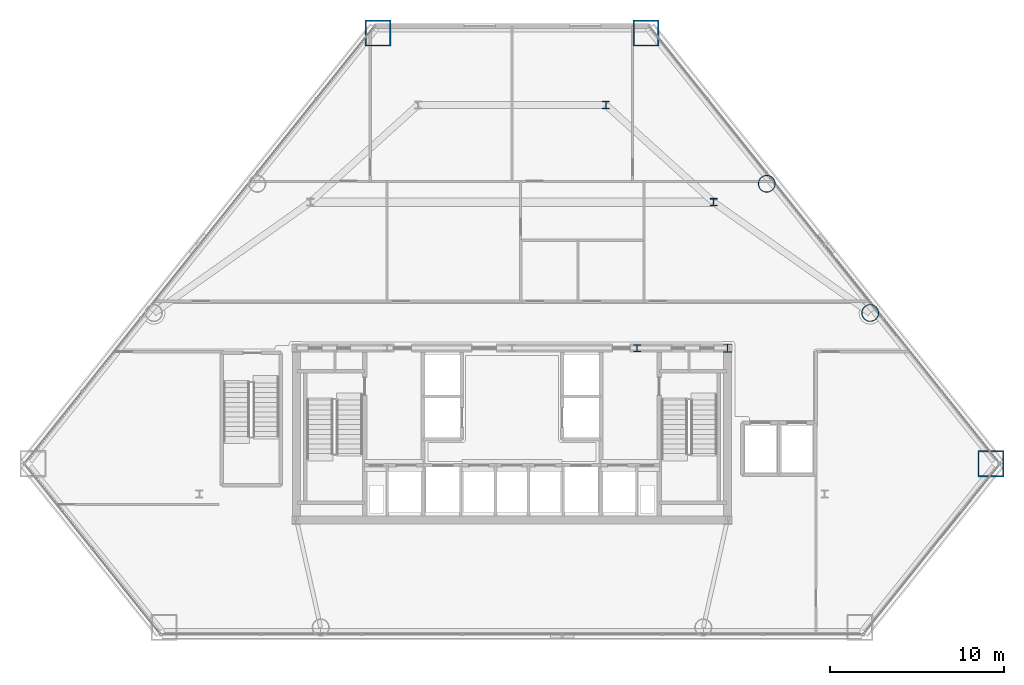
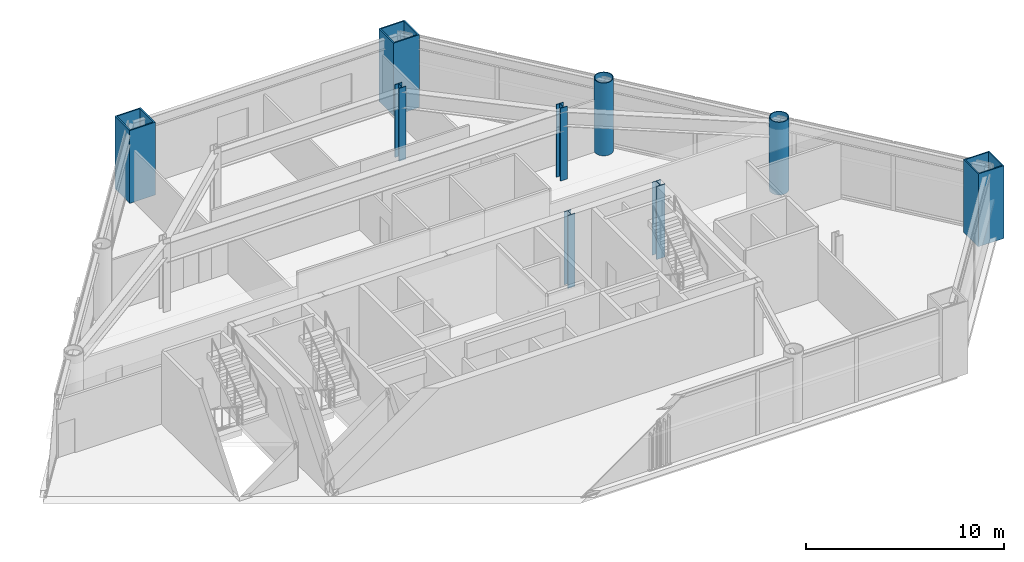
# One storey, part 2 of 13: 9 columns.
"""IFC4 building model written with IfcOpenShell, lengths in metres."""

from ifc_helpers import new_model, si_unit, direction, frame, origin, origin_2d, place, context, subcontext, project, spatial, hollow_rectangle, hollow_circle, i_section, extrude, material, material_profile, profile_set, type_object, element, save


model = new_model("IFC4")

# Units and contexts
model_context = context("Model", 3, precision=1e-05, world=origin(), true_north=direction((0.0, 1.0)))
body_context = subcontext(model_context, "Body", "Model", "MODEL_VIEW")
ifc_project = project(units=[si_unit("LENGTHUNIT", "METRE"), si_unit("AREAUNIT", "SQUARE_METRE"), si_unit("VOLUMEUNIT", "CUBIC_METRE"), si_unit("PLANEANGLEUNIT", "RADIAN"), si_unit("MASSUNIT", "GRAM", prefix="KILO")], contexts=[model_context])

# Site, building, storey
site_placement = place(None, origin())
site = spatial("IfcSite", under=ifc_project, at=site_placement, CompositionType="ELEMENT")
building_placement = place(site_placement, origin())
building = spatial("IfcBuilding", under=site, at=building_placement, Name="Talgorran Terracotta Tower", CompositionType="ELEMENT")
storey_placement = place(building_placement, frame((0.0, 0.0, 9.89990234375)))
storey = spatial("IfcBuildingStorey", under=building, at=storey_placement, Name="L02", CompositionType="ELEMENT", Elevation=9.89990234375)

# Columns
ifc_material_1 = material(Name="Steel S355 (300PLUS)", Category="steel")
ifc_material_profile_1 = material_profile(ifc_material_1, i_section(OverallWidth=0.39990234375, OverallDepth=0.43994140625, WebThickness=0.028076171875, FlangeThickness=0.0400390625, at=origin_2d()), Name="400WC328")
ifc_profile_set_1 = profile_set([ifc_material_profile_1], Name="Steel S355 (300PLUS)")
column_type_1 = type_object("IfcColumnType", Name="COL_400WC328", PredefinedType="COLUMN", material=ifc_profile_set_1)
for number, where, z_axis, x_axis, name in (
    (1, (11.60009765625, 4.199951171875, 0.0), (0.0, 0.0, 1.0), (1.0, 0.0, 0.0), "L02 Podium Column PC4"),
    (2, (5.39990234375, 9.800048828125, 0.0), (0.0, 0.0, 1.0), (1.0, 0.0, 0.0), "L02 Podium Column PC6"),
):
    element("IfcColumn", number, at=place(storey_placement, frame(where, z_axis=z_axis, x_axis=x_axis)), inside=storey, type_object=column_type_1, Name=name, PredefinedType="COLUMN", context=body_context, shape_type="SweptSolid", body=[
        extrude(i_section(OverallWidth=0.39990234375, OverallDepth=0.43994140625, WebThickness=0.028076171875, FlangeThickness=0.0400390625, at=origin_2d()), origin(), (0.0, 0.0, 1.0), 4.5),
    ])
ifc_material_profile_2 = material_profile(ifc_material_1, i_section(OverallWidth=0.5, OverallDepth=0.48193359375, WebThickness=0.0400390625, FlangeThickness=0.044921875, at=origin_2d()), Name="500WC440")
ifc_profile_set_2 = profile_set([ifc_material_profile_2], Name="Steel S355 (300PLUS)")
column_type_2 = type_object("IfcColumnType", Name="COL_500WC440", PredefinedType="COLUMN", material=ifc_profile_set_2)
column_1_placement = place(storey_placement, frame((12.39990234375, -4.199951171875, 0.0), z_axis=(0.0, 0.0, 1.0), x_axis=(1.0, 0.0, 0.0)))
element("IfcColumn", 3, at=column_1_placement, inside=storey, type_object=column_type_2, Name="L02 Core Boundary Column CC3", PredefinedType="COLUMN", context=body_context, shape_type="SweptSolid", body=[
    extrude(i_section(OverallWidth=0.5, OverallDepth=0.48193359375, WebThickness=0.0400390625, FlangeThickness=0.044921875, at=origin_2d()), origin(), (0.0, 0.0, 1.0), 4.5),
])
ifc_material_2 = material(Name="Steel Grade 350 (350L0)", Category="steel")
ifc_material_profile_3 = material_profile(ifc_material_2, hollow_rectangle(XDim=1.5, YDim=1.5, WallThickness=0.074951171875, at=origin_2d()), Name="CFT1500X1500X75")
ifc_profile_set_3 = profile_set([ifc_material_profile_3], Name="Steel Grade 350 (350L0)")
column_type_3 = type_object("IfcColumnType", Name="COL_CFT_1500", PredefinedType="COLUMN", material=ifc_profile_set_3)
for number, where, z_axis, x_axis, name in (
    (4, (27.56982421875, -10.85595703125, 0.0), (0.0, 0.0, 1.0), (1.0, 0.0, 0.0), "L02 Corner CFT Mega-Column MC4"),
    (5, (7.714111328125, 13.93603515625, 0.0), (0.0, 0.0, 1.0), (1.0, 0.0, 0.0), "L02 Corner CFT Mega-Column MC5"),
    (6, (-7.714111328125, 13.93603515625, 0.0), (0.0, 0.0, 1.0), (1.0, 0.0, 0.0), "L02 Corner CFT Mega-Column MC6"),
):
    element("IfcColumn", number, at=place(storey_placement, frame(where, z_axis=z_axis, x_axis=x_axis)), inside=storey, type_object=column_type_3, Name=name, PredefinedType="COLUMN", context=body_context, shape_type="SweptSolid", body=[
        extrude(hollow_rectangle(XDim=1.5, YDim=1.5, WallThickness=0.074951171875, at=origin_2d()), origin(), (0.0, 0.0, 1.0), 4.5),
    ])
ifc_material_profile_4 = material_profile(ifc_material_2, hollow_circle(Radius=0.5, WallThickness=0.044921875, at=origin_2d()), Name="CHS1000X45")
ifc_profile_set_4 = profile_set([ifc_material_profile_4], Name="Steel Grade 350 (350L0)")
column_type_4 = type_object("IfcColumnType", Name="COL_CHS_1000", PredefinedType="COLUMN", material=ifc_profile_set_4)
for number, where, z_axis, x_axis, name in (
    (7, (20.620361328125, -2.1787109375, 0.0), (0.0, 0.0, 1.0), (1.0, 0.0, 0.0), "L02 Facet Perimeter Column FC3"),
    (8, (14.663818359375, 5.2587890625, 0.0), (0.0, 0.0, 1.0), (1.0, 0.0, 0.0), "L02 Facet Perimeter Column FC4"),
):
    element("IfcColumn", number, at=place(storey_placement, frame(where, z_axis=z_axis, x_axis=x_axis)), inside=storey, type_object=column_type_4, Name=name, PredefinedType="COLUMN", context=body_context, shape_type="SweptSolid", body=[
        extrude(hollow_circle(Radius=0.5, WallThickness=0.044921875, at=origin_2d()), origin(), (0.0, 0.0, 1.0), 4.5),
    ])
ifc_material_profile_5 = material_profile(ifc_material_1, i_section(OverallWidth=0.405029296875, OverallDepth=0.4140625, WebThickness=0.02197265625, FlangeThickness=0.031982421875, at=origin_2d()), Name="400WC270")
ifc_profile_set_5 = profile_set([ifc_material_profile_5], Name="Steel S355 (300PLUS)")
column_type_5 = type_object("IfcColumnType", Name="COL_PIL_400WC270", PredefinedType="PILASTER", material=ifc_profile_set_5)
column_2_placement = place(storey_placement, frame((7.199951171875, -4.199951171875, 0.0), z_axis=(0.0, 0.0, 1.0), x_axis=(1.0, 0.0, 0.0)))
element("IfcColumn", 9, at=column_2_placement, inside=storey, type_object=column_type_5, Name="L02 Core Shear Pilaster CP3", PredefinedType="PILASTER", context=body_context, shape_type="SweptSolid", body=[
    extrude(i_section(OverallWidth=0.405029296875, OverallDepth=0.4140625, WebThickness=0.02197265625, FlangeThickness=0.031982421875, at=origin_2d()), origin(), (0.0, 0.0, 1.0), 4.5),
])

save(model, "model.ifc")
